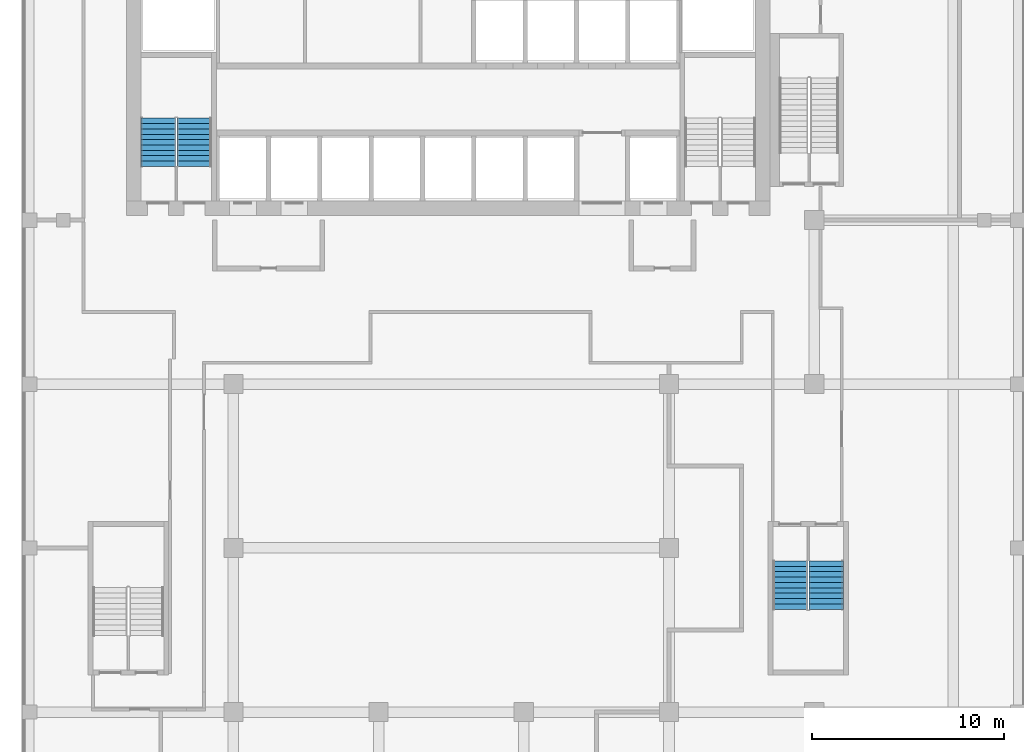
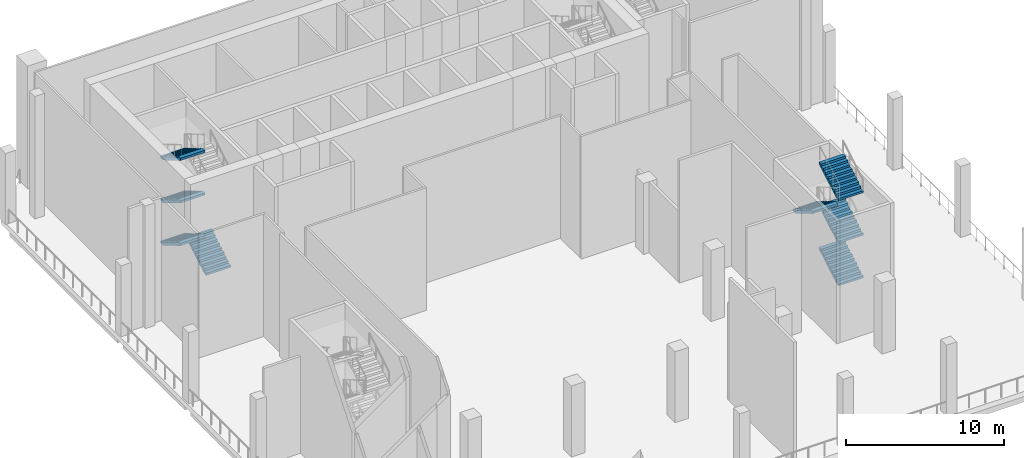
# One storey, part 7 of 12: 8 stair flights, 2 elements without a shape of their own.
"""IFC4 building model written with IfcOpenShell, lengths in metres."""

import ifcopenshell
import ifcopenshell.guid

model = None  # the IFC model being written
_history = None  # IfcOwnerHistory: only IFC2X3 demands one
_inside = {}  # id of a spatial element -> (the spatial element, [elements in it])
_under = {}  # id of a project, library or spatial element -> (it, [spatial elements below it])
_declared = {}  # id of a project -> (the project, [libraries it declares])
_typed = {}  # id of a type object -> (the type object, [elements of that type])
_made_of = {}  # id of a material, layer set ... -> (it, [elements and type objects made of it])


def new_model(schema):
    """Start an empty IFC model of exactly this schema.

    Asked for "IFC4X3", IfcOpenShell would pick the latest addendum, in which some entities
    have other attributes; the version numbers below select the first issue.
    IFC2X3 requires an IfcOwnerHistory on every rooted entity: one is made here for all.
    """
    global model, _history
    if schema == "IFC4X3":
        model = ifcopenshell.file(schema_version=(4, 3, 0, 0))
    else:
        model = ifcopenshell.file(schema=schema)
    _inside.clear()
    _under.clear()
    _declared.clear()
    _typed.clear()
    _made_of.clear()
    _history = None
    if model.schema == "IFC2X3":
        org = make("IfcOrganization", Name="unknown")
        user = make(
            "IfcPersonAndOrganization",
            ThePerson=make("IfcPerson", FamilyName="unknown"),
            TheOrganization=org,
        )
        app = make(
            "IfcApplication",
            ApplicationDeveloper=org,
            Version="unknown",
            ApplicationFullName="unknown",
            ApplicationIdentifier="unknown",
        )
        _history = make(
            "IfcOwnerHistory",
            OwningUser=user,
            OwningApplication=app,
            ChangeAction="ADDED",
            CreationDate=0,
        )
    return model


def make(cls, **values):
    """One entity of the class cls with the attributes given. An attribute that is None is left unset."""
    return model.create_entity(
        cls, **{name: value for name, value in values.items() if value is not None}
    )


def rooted(cls, **values):
    """An entity with a GlobalId (a new one), such as an element, a storey or a relation."""
    return make(cls, GlobalId=ifcopenshell.guid.new(), OwnerHistory=_history, **values)


def si_unit(unit_type, name, prefix=None):
    """IfcSIUnit, for example si_unit("LENGTHUNIT", "METRE", prefix="MILLI")."""
    return make("IfcSIUnit", UnitType=unit_type, Prefix=prefix, Name=name)


def assignment(units):
    """IfcUnitAssignment: the units of a project."""
    return None if units is None else make("IfcUnitAssignment", Units=units)


def point(xyz):
    """IfcCartesianPoint."""
    return None if xyz is None else make("IfcCartesianPoint", Coordinates=xyz)


def direction(xyz):
    """IfcDirection."""
    return None if xyz is None else make("IfcDirection", DirectionRatios=xyz)


def frame(location, z_axis=None, x_axis=None):
    """IfcAxis2Placement3D, a coordinate frame: its origin and axes. An axis left out is left unset."""
    return make(
        "IfcAxis2Placement3D",
        Location=point(location),
        Axis=direction(z_axis),
        RefDirection=direction(x_axis),
    )


def origin():
    """The frame at (0, 0, 0) with its axes left unset."""
    return frame((0.0, 0.0, 0.0))


def place(relative_to, where):
    """IfcLocalPlacement: puts the frame where relative to a parent placement (None: the world)."""
    return make(
        "IfcLocalPlacement", PlacementRelTo=relative_to, RelativePlacement=where
    )


def context(
    kind, dimensions, precision=None, world=None, true_north=None, identifier=None
):
    """IfcGeometricRepresentationContext, for example the 3D "Model" context."""
    return make(
        "IfcGeometricRepresentationContext",
        ContextIdentifier=identifier,
        ContextType=kind,
        CoordinateSpaceDimension=dimensions,
        Precision=precision,
        WorldCoordinateSystem=world,
        TrueNorth=true_north,
    )


def subcontext(parent, identifier, kind, view, scale=None):
    """IfcGeometricRepresentationSubContext, for example "Body" below "Model"."""
    return make(
        "IfcGeometricRepresentationSubContext",
        ContextIdentifier=identifier,
        ContextType=kind,
        ParentContext=parent,
        TargetScale=scale,
        TargetView=view,
    )


def project(units=None, contexts=None):
    """IfcProject with its units and contexts."""
    return rooted(
        "IfcProject",
        Name="project",
        RepresentationContexts=contexts,
        UnitsInContext=assignment(units),
    )


def spatial(cls, under=None, at=None, **own):
    """A site, building, storey or space (cls), placed at a placement, below another one or the project."""
    s = rooted(cls, ObjectPlacement=at, **own)
    if under is not None:
        _under.setdefault(under.id(), (under, []))[1].append(s)
    return s


def point_list(points):
    """IfcCartesianPointList2D or 3D."""
    cls = (
        "IfcCartesianPointList2D" if len(points[0]) == 2 else "IfcCartesianPointList3D"
    )
    return make(cls, CoordList=points)


def triangles(points, corners, closed=None, point_numbers=None):
    """IfcTriangulatedFaceSet: each triangle names its three corners, points numbered from 1."""
    return make(
        "IfcTriangulatedFaceSet",
        Coordinates=point_list(points),
        Closed=closed,
        CoordIndex=corners,
        PnIndex=point_numbers,
    )


def shape(context_of_items, identifier, shape_type, items):
    """IfcShapeRepresentation: the items that make up one representation, for example the "Body"."""
    return make(
        "IfcShapeRepresentation",
        ContextOfItems=context_of_items,
        RepresentationIdentifier=identifier,
        RepresentationType=shape_type,
        Items=items,
    )


def source(mapping_origin, context_of_items, identifier, shape_type, items):
    """IfcRepresentationMap: a shape defined once, which mapped items show again and again."""
    return make(
        "IfcRepresentationMap",
        MappingOrigin=mapping_origin,
        MappedRepresentation=shape(context_of_items, identifier, shape_type, items),
    )


def transform(
    local_origin,
    x_axis=None,
    y_axis=None,
    z_axis=None,
    scale=None,
    scale2=None,
    scale3=None,
    uniform=True,
):
    """IfcCartesianTransformationOperator3D, or its non-uniform kind. x_axis, y_axis, z_axis: its Axis1, 2, 3."""
    if uniform:
        return make(
            "IfcCartesianTransformationOperator3D",
            Axis1=direction(x_axis),
            Axis2=direction(y_axis),
            LocalOrigin=point(local_origin),
            Scale=scale,
            Axis3=direction(z_axis),
        )
    return make(
        "IfcCartesianTransformationOperator3DnonUniform",
        Axis1=direction(x_axis),
        Axis2=direction(y_axis),
        LocalOrigin=point(local_origin),
        Scale=scale,
        Axis3=direction(z_axis),
        Scale2=scale2,
        Scale3=scale3,
    )


def mapped(mapping_source, mapping_target):
    """IfcMappedItem: shows the shape of a source again, moved by a transform."""
    return make(
        "IfcMappedItem", MappingSource=mapping_source, MappingTarget=mapping_target
    )


def material(Name=None, Category=None):
    """IfcMaterial."""
    return make("IfcMaterial", Name=Name, Category=Category)


def made_of(thing, what):
    """Note that an element or type object is made of a material, layer set ...; save() writes the relation."""
    if what is not None:
        _made_of.setdefault(what.id(), (what, []))[1].append(thing)
    return thing


def type_object(cls, material=None, **own):
    """A type object (cls), such as IfcWallType, which elements share."""
    return made_of(rooted(cls, **own), material)


def element(
    cls,
    number,
    at=None,
    inside=None,
    cuts=None,
    type_object=None,
    material=None,
    context=None,
    identifier="Body",
    shape_type=None,
    held_by="IfcProductDefinitionShape",
    body=None,
    shapes=None,
    **own,
):
    """One element of the class cls, such as IfcWall. Its Tag is "e" and its number.

    at: its placement. inside: the storey or other place that contains it. cuts: it is an
    opening in that element (IfcRelVoidsElement). A single representation is given by context,
    identifier, shape_type and body (its items); several are given by shapes. held_by: the class
    of the entity that holds the representations. save() writes the other relations.
    """
    e = rooted(cls, Tag="e%d" % number, ObjectPlacement=at, **own)
    if body is not None:
        shapes = [shape(context, identifier, shape_type, body)]
    if shapes is not None:
        e.Representation = make(held_by, Representations=shapes)
    if inside is not None:
        _inside.setdefault(inside.id(), (inside, []))[1].append(e)
    if cuts is not None:
        rooted(
            "IfcRelVoidsElement", RelatingBuildingElement=cuts, RelatedOpeningElement=e
        )
    if type_object is not None:
        _typed.setdefault(type_object.id(), (type_object, []))[1].append(e)
    return made_of(e, material)


def aggregate(whole, parts):
    """IfcRelAggregates: a whole, such as a stair, and the parts it consists of."""
    return rooted("IfcRelAggregates", RelatingObject=whole, RelatedObjects=parts)


def save(model, path):
    """Write the relations noted so far, then the file.

    IfcRelAggregates (storeys below a building ...), IfcRelContainedInSpatialStructure (elements
    in a storey), IfcRelDefinesByType, IfcRelAssociatesMaterial and IfcRelDeclares: one each for
    every whole, place, type object, material and project.
    """
    for whole, parts in _under.values():
        aggregate(whole, parts)
    for where, things in _inside.values():
        rooted(
            "IfcRelContainedInSpatialStructure",
            RelatedElements=things,
            RelatingStructure=where,
        )
    for kind, things in _typed.values():
        rooted("IfcRelDefinesByType", RelatedObjects=things, RelatingType=kind)
    for what, things in _made_of.values():
        rooted("IfcRelAssociatesMaterial", RelatedObjects=things, RelatingMaterial=what)
    for by, libraries in _declared.values():
        rooted("IfcRelDeclares", RelatingContext=by, RelatedDefinitions=libraries)
    model.write(path)


model = new_model("IFC4")

# Units and contexts
model_context = context("Model", 3, precision=1e-05, world=origin(), true_north=direction((0.0, 1.0)))
body_context = subcontext(model_context, "Body", "Model", "MODEL_VIEW")
ifc_project = project(units=[si_unit("LENGTHUNIT", "METRE"), si_unit("AREAUNIT", "SQUARE_METRE"), si_unit("VOLUMEUNIT", "CUBIC_METRE"), si_unit("PLANEANGLEUNIT", "RADIAN"), si_unit("MASSUNIT", "GRAM", prefix="KILO")], contexts=[model_context])

# Site, building, storey
site_placement = place(None, origin())
site = spatial("IfcSite", under=ifc_project, at=site_placement, CompositionType="ELEMENT")
building_placement = place(site_placement, origin())
building = spatial("IfcBuilding", under=site, at=building_placement, Name="Kilnfold Tower and Market Hall", CompositionType="ELEMENT")
storey_placement = place(building_placement, frame((0.0, 0.0, 223.699951171875)))
storey = spatial("IfcBuildingStorey", under=building, at=storey_placement, Name="L55 Refuge Wind Floor", CompositionType="ELEMENT", Elevation=223.699951171875)

# Stair, stair flights
ifc_material_1 = material(Name="Concrete C40/50", Category="concrete")
stair_type = type_object("IfcStairType", Name="CORE STAIR 1800", PredefinedType="HALF_TURN_STAIR", material=ifc_material_1)
stair_1_placement = place(storey_placement, origin())
stair_1 = element("IfcStair", 1, at=stair_1_placement, inside=storey, type_object=stair_type, Name="L55 Refuge Wind Floor ST1", PredefinedType="HALF_TURN_STAIR")
ifc_material_2 = material(Name="Concrete C40/50", Category="concrete")
stair_flight_type = type_object("IfcStairFlightType", Name="CORE STAIR FLIGHT 1800", PredefinedType="STRAIGHT", material=ifc_material_2)
shared_shape = source(origin(), body_context, "Body", "Tessellation", [
    triangles([(0.0, 0.89990234375, 0.0), (0.0, 0.78759765625, 0.0), (0.0, 0.675048828125, 0.0), (0.0, 0.5625, 0.0), (0.0, 0.449951171875, 0.0), (0.0, 0.33740234375, 0.0), (0.0, 0.22509765625, 0.0), (0.0, 0.112548828125, 0.0), (0.0, 0.0, 0.0), (0.0, -0.112548828125, 0.0), (0.0, -0.22509765625, 0.0), (0.0, -0.33740234375, 0.0), (0.0, -0.449951171875, 0.0), (0.0, -0.5625, 0.0), (0.0, -0.675048828125, 0.0), (0.0, -0.78759765625, 0.0), (0.0, -0.89990234375, 0.0), (0.0, 0.89990234375, 0.1650390625), (0.0, 0.78759765625, 0.1650390625), (0.0, 0.675048828125, 0.1650390625), (0.0, 0.5625, 0.1650390625), (0.0, 0.449951171875, 0.1650390625), (0.0, 0.33740234375, 0.1650390625), (0.0, 0.22509765625, 0.1650390625), (0.0, 0.112548828125, 0.1650390625), (0.0, 0.0, 0.1650390625), (0.0, -0.112548828125, 0.1650390625), (0.0, -0.22509765625, 0.1650390625), (0.0, -0.33740234375, 0.1650390625), (0.0, -0.449951171875, 0.1650390625), (0.0, -0.5625, 0.1650390625), (0.0, -0.675048828125, 0.1650390625), (0.0, -0.78759765625, 0.1650390625), (0.0, -0.89990234375, 0.1650390625), (0.280029296875, 0.89990234375, 0.1650390625), (0.280029296875, 0.78759765625, 0.1650390625), (0.280029296875, 0.675048828125, 0.1650390625), (0.280029296875, 0.5625, 0.1650390625), (0.280029296875, 0.449951171875, 0.1650390625), (0.280029296875, 0.33740234375, 0.1650390625), (0.280029296875, 0.22509765625, 0.1650390625), (0.280029296875, 0.112548828125, 0.1650390625), (0.280029296875, 0.0, 0.1650390625), (0.280029296875, -0.112548828125, 0.1650390625), (0.280029296875, -0.22509765625, 0.1650390625), (0.280029296875, -0.33740234375, 0.1650390625), (0.280029296875, -0.449951171875, 0.1650390625), (0.280029296875, -0.5625, 0.1650390625), (0.280029296875, -0.675048828125, 0.1650390625), (0.280029296875, -0.78759765625, 0.1650390625), (0.280029296875, -0.89990234375, 0.1650390625), (0.280029296875, 0.89990234375, 0.330078125), (0.280029296875, 0.78759765625, 0.330078125), (0.280029296875, 0.675048828125, 0.330078125), (0.280029296875, 0.5625, 0.330078125), (0.280029296875, 0.449951171875, 0.330078125), (0.280029296875, 0.33740234375, 0.330078125), (0.280029296875, 0.22509765625, 0.330078125), (0.280029296875, 0.112548828125, 0.330078125), (0.280029296875, 0.0, 0.330078125), (0.280029296875, -0.112548828125, 0.330078125), (0.280029296875, -0.22509765625, 0.330078125), (0.280029296875, -0.33740234375, 0.330078125), (0.280029296875, -0.449951171875, 0.330078125), (0.280029296875, -0.5625, 0.330078125), (0.280029296875, -0.675048828125, 0.330078125), (0.280029296875, -0.78759765625, 0.330078125), (0.280029296875, -0.89990234375, 0.330078125), (0.56005859375, 0.89990234375, 0.330078125), (0.56005859375, 0.78759765625, 0.330078125), (0.56005859375, 0.675048828125, 0.330078125), (0.56005859375, 0.5625, 0.330078125), (0.56005859375, 0.449951171875, 0.330078125), (0.56005859375, 0.33740234375, 0.330078125), (0.56005859375, 0.22509765625, 0.330078125), (0.56005859375, 0.112548828125, 0.330078125), (0.56005859375, 0.0, 0.330078125), (0.56005859375, -0.112548828125, 0.330078125), (0.56005859375, -0.22509765625, 0.330078125), (0.56005859375, -0.33740234375, 0.330078125), (0.56005859375, -0.449951171875, 0.330078125), (0.56005859375, -0.5625, 0.330078125), (0.56005859375, -0.675048828125, 0.330078125), (0.56005859375, -0.78759765625, 0.330078125), (0.56005859375, -0.89990234375, 0.330078125), (0.56005859375, 0.89990234375, 0.4951171875), (0.56005859375, 0.78759765625, 0.4951171875), (0.56005859375, 0.675048828125, 0.4951171875), (0.56005859375, 0.5625, 0.4951171875), (0.56005859375, 0.449951171875, 0.4951171875), (0.56005859375, 0.33740234375, 0.4951171875), (0.56005859375, 0.22509765625, 0.4951171875), (0.56005859375, 0.112548828125, 0.4951171875), (0.56005859375, 0.0, 0.4951171875), (0.56005859375, -0.112548828125, 0.4951171875), (0.56005859375, -0.22509765625, 0.4951171875), (0.56005859375, -0.33740234375, 0.4951171875), (0.56005859375, -0.449951171875, 0.4951171875), (0.56005859375, -0.5625, 0.4951171875), (0.56005859375, -0.675048828125, 0.4951171875), (0.56005859375, -0.78759765625, 0.4951171875), (0.56005859375, -0.89990234375, 0.4951171875), (0.840087890625, 0.89990234375, 0.4951171875), (0.840087890625, 0.78759765625, 0.4951171875), (0.840087890625, 0.675048828125, 0.4951171875), (0.840087890625, 0.5625, 0.4951171875), (0.840087890625, 0.449951171875, 0.4951171875), (0.840087890625, 0.33740234375, 0.4951171875), (0.840087890625, 0.22509765625, 0.4951171875), (0.840087890625, 0.112548828125, 0.4951171875), (0.840087890625, 0.0, 0.4951171875), (0.840087890625, -0.112548828125, 0.4951171875), (0.840087890625, -0.22509765625, 0.4951171875), (0.840087890625, -0.33740234375, 0.4951171875), (0.840087890625, -0.449951171875, 0.4951171875), (0.840087890625, -0.5625, 0.4951171875), (0.840087890625, -0.675048828125, 0.4951171875), (0.840087890625, -0.78759765625, 0.4951171875), (0.840087890625, -0.89990234375, 0.4951171875), (0.840087890625, 0.89990234375, 0.659912109375), (0.840087890625, 0.78759765625, 0.659912109375), (0.840087890625, 0.675048828125, 0.659912109375), (0.840087890625, 0.5625, 0.659912109375), (0.840087890625, 0.449951171875, 0.659912109375), (0.840087890625, 0.33740234375, 0.659912109375), (0.840087890625, 0.22509765625, 0.659912109375), (0.840087890625, 0.112548828125, 0.659912109375), (0.840087890625, 0.0, 0.659912109375), (0.840087890625, -0.112548828125, 0.659912109375), (0.840087890625, -0.22509765625, 0.659912109375), (0.840087890625, -0.33740234375, 0.659912109375), (0.840087890625, -0.449951171875, 0.659912109375), (0.840087890625, -0.5625, 0.659912109375), (0.840087890625, -0.675048828125, 0.659912109375), (0.840087890625, -0.78759765625, 0.659912109375), (0.840087890625, -0.89990234375, 0.659912109375), (1.1201171875, 0.89990234375, 0.659912109375), (1.1201171875, 0.78759765625, 0.659912109375), (1.1201171875, 0.675048828125, 0.659912109375), (1.1201171875, 0.5625, 0.659912109375), (1.1201171875, 0.449951171875, 0.659912109375), (1.1201171875, 0.33740234375, 0.659912109375), (1.1201171875, 0.22509765625, 0.659912109375), (1.1201171875, 0.112548828125, 0.659912109375), (1.1201171875, 0.0, 0.659912109375), (1.1201171875, -0.112548828125, 0.659912109375), (1.1201171875, -0.22509765625, 0.659912109375), (1.1201171875, -0.33740234375, 0.659912109375), (1.1201171875, -0.449951171875, 0.659912109375), (1.1201171875, -0.5625, 0.659912109375), (1.1201171875, -0.675048828125, 0.659912109375), (1.1201171875, -0.78759765625, 0.659912109375), (1.1201171875, -0.89990234375, 0.659912109375), (1.1201171875, 0.89990234375, 0.824951171875), (1.1201171875, 0.78759765625, 0.824951171875), (1.1201171875, 0.675048828125, 0.824951171875), (1.1201171875, 0.5625, 0.824951171875), (1.1201171875, 0.449951171875, 0.824951171875), (1.1201171875, 0.33740234375, 0.824951171875), (1.1201171875, 0.22509765625, 0.824951171875), (1.1201171875, 0.112548828125, 0.824951171875), (1.1201171875, 0.0, 0.824951171875), (1.1201171875, -0.112548828125, 0.824951171875), (1.1201171875, -0.22509765625, 0.824951171875), (1.1201171875, -0.33740234375, 0.824951171875), (1.1201171875, -0.449951171875, 0.824951171875), (1.1201171875, -0.5625, 0.824951171875), (1.1201171875, -0.675048828125, 0.824951171875), (1.1201171875, -0.78759765625, 0.824951171875), (1.1201171875, -0.89990234375, 0.824951171875), (1.39990234375, 0.89990234375, 0.824951171875), (1.39990234375, 0.78759765625, 0.824951171875), (1.39990234375, 0.675048828125, 0.824951171875), (1.39990234375, 0.5625, 0.824951171875), (1.39990234375, 0.449951171875, 0.824951171875), (1.39990234375, 0.33740234375, 0.824951171875), (1.39990234375, 0.22509765625, 0.824951171875), (1.39990234375, 0.112548828125, 0.824951171875), (1.39990234375, 0.0, 0.824951171875), (1.39990234375, -0.112548828125, 0.824951171875), (1.39990234375, -0.22509765625, 0.824951171875), (1.39990234375, -0.33740234375, 0.824951171875), (1.39990234375, -0.449951171875, 0.824951171875), (1.39990234375, -0.5625, 0.824951171875), (1.39990234375, -0.675048828125, 0.824951171875), (1.39990234375, -0.78759765625, 0.824951171875), (1.39990234375, -0.89990234375, 0.824951171875), (1.39990234375, 0.89990234375, 0.989990234375), (1.39990234375, 0.78759765625, 0.989990234375), (1.39990234375, 0.675048828125, 0.989990234375), (1.39990234375, 0.5625, 0.989990234375), (1.39990234375, 0.449951171875, 0.989990234375), (1.39990234375, 0.33740234375, 0.989990234375), (1.39990234375, 0.22509765625, 0.989990234375), (1.39990234375, 0.112548828125, 0.989990234375), (1.39990234375, 0.0, 0.989990234375), (1.39990234375, -0.112548828125, 0.989990234375), (1.39990234375, -0.22509765625, 0.989990234375), (1.39990234375, -0.33740234375, 0.989990234375), (1.39990234375, -0.449951171875, 0.989990234375), (1.39990234375, -0.5625, 0.989990234375), (1.39990234375, -0.675048828125, 0.989990234375), (1.39990234375, -0.78759765625, 0.989990234375), (1.39990234375, -0.89990234375, 0.989990234375), (1.679931640625, 0.89990234375, 0.989990234375), (1.679931640625, 0.78759765625, 0.989990234375), (1.679931640625, 0.675048828125, 0.989990234375), (1.679931640625, 0.5625, 0.989990234375), (1.679931640625, 0.449951171875, 0.989990234375), (1.679931640625, 0.33740234375, 0.989990234375), (1.679931640625, 0.22509765625, 0.989990234375), (1.679931640625, 0.112548828125, 0.989990234375), (1.679931640625, 0.0, 0.989990234375), (1.679931640625, -0.112548828125, 0.989990234375), (1.679931640625, -0.22509765625, 0.989990234375), (1.679931640625, -0.33740234375, 0.989990234375), (1.679931640625, -0.449951171875, 0.989990234375), (1.679931640625, -0.5625, 0.989990234375), (1.679931640625, -0.675048828125, 0.989990234375), (1.679931640625, -0.78759765625, 0.989990234375), (1.679931640625, -0.89990234375, 0.989990234375), (1.679931640625, 0.89990234375, 1.155029296875), (1.679931640625, 0.78759765625, 1.155029296875), (1.679931640625, 0.675048828125, 1.155029296875), (1.679931640625, 0.5625, 1.155029296875), (1.679931640625, 0.449951171875, 1.155029296875), (1.679931640625, 0.33740234375, 1.155029296875), (1.679931640625, 0.22509765625, 1.155029296875), (1.679931640625, 0.112548828125, 1.155029296875), (1.679931640625, 0.0, 1.155029296875), (1.679931640625, -0.112548828125, 1.155029296875), (1.679931640625, -0.22509765625, 1.155029296875), (1.679931640625, -0.33740234375, 1.155029296875), (1.679931640625, -0.449951171875, 1.155029296875), (1.679931640625, -0.5625, 1.155029296875), (1.679931640625, -0.675048828125, 1.155029296875), (1.679931640625, -0.78759765625, 1.155029296875), (1.679931640625, -0.89990234375, 1.155029296875), (1.9599609375, 0.89990234375, 1.155029296875), (1.9599609375, 0.78759765625, 1.155029296875), (1.9599609375, 0.675048828125, 1.155029296875), (1.9599609375, 0.5625, 1.155029296875), (1.9599609375, 0.449951171875, 1.155029296875), (1.9599609375, 0.33740234375, 1.155029296875), (1.9599609375, 0.22509765625, 1.155029296875), (1.9599609375, 0.112548828125, 1.155029296875), (1.9599609375, 0.0, 1.155029296875), (1.9599609375, -0.112548828125, 1.155029296875), (1.9599609375, -0.22509765625, 1.155029296875), (1.9599609375, -0.33740234375, 1.155029296875), (1.9599609375, -0.449951171875, 1.155029296875), (1.9599609375, -0.5625, 1.155029296875), (1.9599609375, -0.675048828125, 1.155029296875), (1.9599609375, -0.78759765625, 1.155029296875), (1.9599609375, -0.89990234375, 1.155029296875), (1.9599609375, 0.89990234375, 1.320068359375), (1.9599609375, 0.78759765625, 1.320068359375), (1.9599609375, 0.675048828125, 1.320068359375), (1.9599609375, 0.5625, 1.320068359375), (1.9599609375, 0.449951171875, 1.320068359375), (1.9599609375, 0.33740234375, 1.320068359375), (1.9599609375, 0.22509765625, 1.320068359375), (1.9599609375, 0.112548828125, 1.320068359375), (1.9599609375, 0.0, 1.320068359375), (1.9599609375, -0.112548828125, 1.320068359375), (1.9599609375, -0.22509765625, 1.320068359375), (1.9599609375, -0.33740234375, 1.320068359375), (1.9599609375, -0.449951171875, 1.320068359375), (1.9599609375, -0.5625, 1.320068359375), (1.9599609375, -0.675048828125, 1.320068359375), (1.9599609375, -0.78759765625, 1.320068359375), (1.9599609375, -0.89990234375, 1.320068359375), (2.239990234375, 0.89990234375, 1.320068359375), (2.239990234375, 0.78759765625, 1.320068359375), (2.239990234375, 0.675048828125, 1.320068359375), (2.239990234375, 0.5625, 1.320068359375), (2.239990234375, 0.449951171875, 1.320068359375), (2.239990234375, 0.33740234375, 1.320068359375), (2.239990234375, 0.22509765625, 1.320068359375), (2.239990234375, 0.112548828125, 1.320068359375), (2.239990234375, 0.0, 1.320068359375), (2.239990234375, -0.112548828125, 1.320068359375), (2.239990234375, -0.22509765625, 1.320068359375), (2.239990234375, -0.33740234375, 1.320068359375), (2.239990234375, -0.449951171875, 1.320068359375), (2.239990234375, -0.5625, 1.320068359375), (2.239990234375, -0.675048828125, 1.320068359375), (2.239990234375, -0.78759765625, 1.320068359375), (2.239990234375, -0.89990234375, 1.320068359375), (2.239990234375, 0.89990234375, 1.485107421875), (2.239990234375, 0.78759765625, 1.485107421875), (2.239990234375, 0.675048828125, 1.485107421875), (2.239990234375, 0.5625, 1.485107421875), (2.239990234375, 0.449951171875, 1.485107421875), (2.239990234375, 0.33740234375, 1.485107421875), (2.239990234375, 0.22509765625, 1.485107421875), (2.239990234375, 0.112548828125, 1.485107421875), (2.239990234375, 0.0, 1.485107421875), (2.239990234375, -0.112548828125, 1.485107421875), (2.239990234375, -0.22509765625, 1.485107421875), (2.239990234375, -0.33740234375, 1.485107421875), (2.239990234375, -0.449951171875, 1.485107421875), (2.239990234375, -0.5625, 1.485107421875), (2.239990234375, -0.675048828125, 1.485107421875), (2.239990234375, -0.78759765625, 1.485107421875), (2.239990234375, -0.89990234375, 1.485107421875), (2.52001953125, 0.89990234375, 1.485107421875), (2.52001953125, 0.78759765625, 1.485107421875), (2.52001953125, 0.675048828125, 1.485107421875), (2.52001953125, 0.5625, 1.485107421875), (2.52001953125, 0.449951171875, 1.485107421875), (2.52001953125, 0.33740234375, 1.485107421875), (2.52001953125, 0.22509765625, 1.485107421875), (2.52001953125, 0.112548828125, 1.485107421875), (2.52001953125, 0.0, 1.485107421875), (2.52001953125, -0.112548828125, 1.485107421875), (2.52001953125, -0.22509765625, 1.485107421875), (2.52001953125, -0.33740234375, 1.485107421875), (2.52001953125, -0.449951171875, 1.485107421875), (2.52001953125, -0.5625, 1.485107421875), (2.52001953125, -0.675048828125, 1.485107421875), (2.52001953125, -0.78759765625, 1.485107421875), (2.52001953125, -0.89990234375, 1.485107421875), (2.52001953125, 0.89990234375, 1.31103515625), (2.52001953125, 0.78759765625, 1.31103515625), (2.52001953125, 0.675048828125, 1.31103515625), (2.52001953125, 0.5625, 1.31103515625), (2.52001953125, 0.449951171875, 1.31103515625), (2.52001953125, 0.33740234375, 1.31103515625), (2.52001953125, 0.22509765625, 1.31103515625), (2.52001953125, 0.112548828125, 1.31103515625), (2.52001953125, 0.0, 1.31103515625), (2.52001953125, -0.112548828125, 1.31103515625), (2.52001953125, -0.22509765625, 1.31103515625), (2.52001953125, -0.33740234375, 1.31103515625), (2.52001953125, -0.449951171875, 1.31103515625), (2.52001953125, -0.5625, 1.31103515625), (2.52001953125, -0.675048828125, 1.31103515625), (2.52001953125, -0.78759765625, 1.31103515625), (2.52001953125, -0.89990234375, 1.31103515625), (0.295166015625, 0.89990234375, 0.0), (0.295166015625, 0.78759765625, 0.0), (0.295166015625, 0.675048828125, 0.0), (0.295166015625, 0.5625, 0.0), (0.295166015625, 0.449951171875, 0.0), (0.295166015625, 0.33740234375, 0.0), (0.295166015625, 0.22509765625, 0.0), (0.295166015625, 0.112548828125, 0.0), (0.295166015625, 0.0, 0.0), (0.295166015625, -0.112548828125, 0.0), (0.295166015625, -0.22509765625, 0.0), (0.295166015625, -0.33740234375, 0.0), (0.295166015625, -0.449951171875, 0.0), (0.295166015625, -0.5625, 0.0), (0.295166015625, -0.675048828125, 0.0), (0.295166015625, -0.78759765625, 0.0), (0.295166015625, -0.89990234375, 0.0)], [[1, 324, 341], [17, 357, 340], [324, 290, 307], [340, 323, 306], [324, 273, 290], [340, 306, 289], [324, 256, 273], [340, 289, 272], [324, 239, 256], [340, 272, 255], [239, 205, 222], [255, 238, 221], [324, 205, 239], [340, 255, 221], [205, 171, 188], [221, 204, 187], [324, 171, 205], [340, 221, 187], [171, 137, 154], [187, 170, 153], [324, 137, 171], [340, 187, 153], [1, 137, 324], [17, 340, 153], [137, 103, 120], [153, 136, 119], [103, 69, 86], [119, 102, 85], [137, 69, 103], [153, 119, 85], [69, 35, 52], [85, 68, 51], [137, 35, 69], [153, 85, 51], [1, 35, 137], [17, 153, 51], [35, 1, 18], [51, 34, 17], [1, 19, 18], [1, 2, 19], [2, 20, 19], [2, 3, 20], [3, 21, 20], [3, 4, 21], [4, 22, 21], [4, 5, 22], [5, 23, 22], [5, 6, 23], [6, 24, 23], [6, 7, 24], [7, 25, 24], [7, 8, 25], [8, 26, 25], [8, 9, 26], [9, 27, 26], [9, 10, 27], [10, 28, 27], [10, 11, 28], [11, 29, 28], [11, 12, 29], [12, 30, 29], [12, 13, 30], [13, 31, 30], [13, 14, 31], [14, 32, 31], [14, 15, 32], [15, 33, 32], [15, 16, 33], [16, 34, 33], [16, 17, 34], [18, 36, 35], [18, 19, 36], [19, 37, 36], [19, 20, 37], [20, 38, 37], [20, 21, 38], [21, 39, 38], [21, 22, 39], [22, 40, 39], [22, 23, 40], [23, 41, 40], [23, 24, 41], [24, 42, 41], [24, 25, 42], [25, 43, 42], [25, 26, 43], [26, 44, 43], [26, 27, 44], [27, 45, 44], [27, 28, 45], [28, 46, 45], [28, 29, 46], [29, 47, 46], [29, 30, 47], [30, 48, 47], [30, 31, 48], [31, 49, 48], [31, 32, 49], [32, 50, 49], [32, 33, 50], [33, 51, 50], [33, 34, 51], [35, 53, 52], [35, 36, 53], [36, 54, 53], [36, 37, 54], [37, 55, 54], [37, 38, 55], [38, 56, 55], [38, 39, 56], [39, 57, 56], [39, 40, 57], [40, 58, 57], [40, 41, 58], [41, 59, 58], [41, 42, 59], [42, 60, 59], [42, 43, 60], [43, 61, 60], [43, 44, 61], [44, 62, 61], [44, 45, 62], [45, 63, 62], [45, 46, 63], [46, 64, 63], [46, 47, 64], [47, 65, 64], [47, 48, 65], [48, 66, 65], [48, 49, 66], [49, 67, 66], [49, 50, 67], [50, 68, 67], [50, 51, 68], [52, 70, 69], [52, 53, 70], [53, 71, 70], [53, 54, 71], [54, 72, 71], [54, 55, 72], [55, 73, 72], [55, 56, 73], [56, 74, 73], [56, 57, 74], [57, 75, 74], [57, 58, 75], [58, 76, 75], [58, 59, 76], [59, 77, 76], [59, 60, 77], [60, 78, 77], [60, 61, 78], [61, 79, 78], [61, 62, 79], [62, 80, 79], [62, 63, 80], [63, 81, 80], [63, 64, 81], [64, 82, 81], [64, 65, 82], [65, 83, 82], [65, 66, 83], [66, 84, 83], [66, 67, 84], [67, 85, 84], [67, 68, 85], [69, 87, 86], [69, 70, 87], [70, 88, 87], [70, 71, 88], [71, 89, 88], [71, 72, 89], [72, 90, 89], [72, 73, 90], [73, 91, 90], [73, 74, 91], [74, 92, 91], [74, 75, 92], [75, 93, 92], [75, 76, 93], [76, 94, 93], [76, 77, 94], [77, 95, 94], [77, 78, 95], [78, 96, 95], [78, 79, 96], [79, 97, 96], [79, 80, 97], [80, 98, 97], [80, 81, 98], [81, 99, 98], [81, 82, 99], [82, 100, 99], [82, 83, 100], [83, 101, 100], [83, 84, 101], [84, 102, 101], [84, 85, 102], [86, 104, 103], [86, 87, 104], [87, 105, 104], [87, 88, 105], [88, 106, 105], [88, 89, 106], [89, 107, 106], [89, 90, 107], [90, 108, 107], [90, 91, 108], [91, 109, 108], [91, 92, 109], [92, 110, 109], [92, 93, 110], [93, 111, 110], [93, 94, 111], [94, 112, 111], [94, 95, 112], [95, 113, 112], [95, 96, 113], [96, 114, 113], [96, 97, 114], [97, 115, 114], [97, 98, 115], [98, 116, 115], [98, 99, 116], [99, 117, 116], [99, 100, 117], [100, 118, 117], [100, 101, 118], [101, 119, 118], [101, 102, 119], [103, 121, 120], [103, 104, 121], [104, 122, 121], [104, 105, 122], [105, 123, 122], [105, 106, 123], [106, 124, 123], [106, 107, 124], [107, 125, 124], [107, 108, 125], [108, 126, 125], [108, 109, 126], [109, 127, 126], [109, 110, 127], [110, 128, 127], [110, 111, 128], [111, 129, 128], [111, 112, 129], [112, 130, 129], [112, 113, 130], [113, 131, 130], [113, 114, 131], [114, 132, 131], [114, 115, 132], [115, 133, 132], [115, 116, 133], [116, 134, 133], [116, 117, 134], [117, 135, 134], [117, 118, 135], [118, 136, 135], [118, 119, 136], [120, 138, 137], [120, 121, 138], [121, 139, 138], [121, 122, 139], [122, 140, 139], [122, 123, 140], [123, 141, 140], [123, 124, 141], [124, 142, 141], [124, 125, 142], [125, 143, 142], [125, 126, 143], [126, 144, 143], [126, 127, 144], [127, 145, 144], [127, 128, 145], [128, 146, 145], [128, 129, 146], [129, 147, 146], [129, 130, 147], [130, 148, 147], [130, 131, 148], [131, 149, 148], [131, 132, 149], [132, 150, 149], [132, 133, 150], [133, 151, 150], [133, 134, 151], [134, 152, 151], [134, 135, 152], [135, 153, 152], [135, 136, 153], [137, 155, 154], [137, 138, 155], [138, 156, 155], [138, 139, 156], [139, 157, 156], [139, 140, 157], [140, 158, 157], [140, 141, 158], [141, 159, 158], [141, 142, 159], [142, 160, 159], [142, 143, 160], [143, 161, 160], [143, 144, 161], [144, 162, 161], [144, 145, 162], [145, 163, 162], [145, 146, 163], [146, 164, 163], [146, 147, 164], [147, 165, 164], [147, 148, 165], [148, 166, 165], [148, 149, 166], [149, 167, 166], [149, 150, 167], [150, 168, 167], [150, 151, 168], [151, 169, 168], [151, 152, 169], [152, 170, 169], [152, 153, 170], [154, 172, 171], [154, 155, 172], [155, 173, 172], [155, 156, 173], [156, 174, 173], [156, 157, 174], [157, 175, 174], [157, 158, 175], [158, 176, 175], [158, 159, 176], [159, 177, 176], [159, 160, 177], [160, 178, 177], [160, 161, 178], [161, 179, 178], [161, 162, 179], [162, 180, 179], [162, 163, 180], [163, 181, 180], [163, 164, 181], [164, 182, 181], [164, 165, 182], [165, 183, 182], [165, 166, 183], [166, 184, 183], [166, 167, 184], [167, 185, 184], [167, 168, 185], [168, 186, 185], [168, 169, 186], [169, 187, 186], [169, 170, 187], [171, 189, 188], [171, 172, 189], [172, 190, 189], [172, 173, 190], [173, 191, 190], [173, 174, 191], [174, 192, 191], [174, 175, 192], [175, 193, 192], [175, 176, 193], [176, 194, 193], [176, 177, 194], [177, 195, 194], [177, 178, 195], [178, 196, 195], [178, 179, 196], [179, 197, 196], [179, 180, 197], [180, 198, 197], [180, 181, 198], [181, 199, 198], [181, 182, 199], [182, 200, 199], [182, 183, 200], [183, 201, 200], [183, 184, 201], [184, 202, 201], [184, 185, 202], [185, 203, 202], [185, 186, 203], [186, 204, 203], [186, 187, 204], [188, 206, 205], [188, 189, 206], [189, 207, 206], [189, 190, 207], [190, 208, 207], [190, 191, 208], [191, 209, 208], [191, 192, 209], [192, 210, 209], [192, 193, 210], [193, 211, 210], [193, 194, 211], [194, 212, 211], [194, 195, 212], [195, 213, 212], [195, 196, 213], [196, 214, 213], [196, 197, 214], [197, 215, 214], [197, 198, 215], [198, 216, 215], [198, 199, 216], [199, 217, 216], [199, 200, 217], [200, 218, 217], [200, 201, 218], [201, 219, 218], [201, 202, 219], [202, 220, 219], [202, 203, 220], [203, 221, 220], [203, 204, 221], [205, 223, 222], [205, 206, 223], [206, 224, 223], [206, 207, 224], [207, 225, 224], [207, 208, 225], [208, 226, 225], [208, 209, 226], [209, 227, 226], [209, 210, 227], [210, 228, 227], [210, 211, 228], [211, 229, 228], [211, 212, 229], [212, 230, 229], [212, 213, 230], [213, 231, 230], [213, 214, 231], [214, 232, 231], [214, 215, 232], [215, 233, 232], [215, 216, 233], [216, 234, 233], [216, 217, 234], [217, 235, 234], [217, 218, 235], [218, 236, 235], [218, 219, 236], [219, 237, 236], [219, 220, 237], [220, 238, 237], [220, 221, 238], [222, 240, 239], [222, 223, 240], [223, 241, 240], [223, 224, 241], [224, 242, 241], [224, 225, 242], [225, 243, 242], [225, 226, 243], [226, 244, 243], [226, 227, 244], [227, 245, 244], [227, 228, 245], [228, 246, 245], [228, 229, 246], [229, 247, 246], [229, 230, 247], [230, 248, 247], [230, 231, 248], [231, 249, 248], [231, 232, 249], [232, 250, 249], [232, 233, 250], [233, 251, 250], [233, 234, 251], [234, 252, 251], [234, 235, 252], [235, 253, 252], [235, 236, 253], [236, 254, 253], [236, 237, 254], [237, 255, 254], [237, 238, 255], [239, 257, 256], [239, 240, 257], [240, 258, 257], [240, 241, 258], [241, 259, 258], [241, 242, 259], [242, 260, 259], [242, 243, 260], [243, 261, 260], [243, 244, 261], [244, 262, 261], [244, 245, 262], [245, 263, 262], [245, 246, 263], [246, 264, 263], [246, 247, 264], [247, 265, 264], [247, 248, 265], [248, 266, 265], [248, 249, 266], [249, 267, 266], [249, 250, 267], [250, 268, 267], [250, 251, 268], [251, 269, 268], [251, 252, 269], [252, 270, 269], [252, 253, 270], [253, 271, 270], [253, 254, 271], [254, 272, 271], [254, 255, 272], [256, 274, 273], [256, 257, 274], [257, 275, 274], [257, 258, 275], [258, 276, 275], [258, 259, 276], [259, 277, 276], [259, 260, 277], [260, 278, 277], [260, 261, 278], [261, 279, 278], [261, 262, 279], [262, 280, 279], [262, 263, 280], [263, 281, 280], [263, 264, 281], [264, 282, 281], [264, 265, 282], [265, 283, 282], [265, 266, 283], [266, 284, 283], [266, 267, 284], [267, 285, 284], [267, 268, 285], [268, 286, 285], [268, 269, 286], [269, 287, 286], [269, 270, 287], [270, 288, 287], [270, 271, 288], [271, 289, 288], [271, 272, 289], [273, 291, 290], [273, 274, 291], [274, 292, 291], [274, 275, 292], [275, 293, 292], [275, 276, 293], [276, 294, 293], [276, 277, 294], [277, 295, 294], [277, 278, 295], [278, 296, 295], [278, 279, 296], [279, 297, 296], [279, 280, 297], [280, 298, 297], [280, 281, 298], [281, 299, 298], [281, 282, 299], [282, 300, 299], [282, 283, 300], [283, 301, 300], [283, 284, 301], [284, 302, 301], [284, 285, 302], [285, 303, 302], [285, 286, 303], [286, 304, 303], [286, 287, 304], [287, 305, 304], [287, 288, 305], [288, 306, 305], [288, 289, 306], [290, 308, 307], [290, 291, 308], [291, 309, 308], [291, 292, 309], [292, 310, 309], [292, 293, 310], [293, 311, 310], [293, 294, 311], [294, 312, 311], [294, 295, 312], [295, 313, 312], [295, 296, 313], [296, 314, 313], [296, 297, 314], [297, 315, 314], [297, 298, 315], [298, 316, 315], [298, 299, 316], [299, 317, 316], [299, 300, 317], [300, 318, 317], [300, 301, 318], [301, 319, 318], [301, 302, 319], [302, 320, 319], [302, 303, 320], [303, 321, 320], [303, 304, 321], [304, 322, 321], [304, 305, 322], [305, 323, 322], [305, 306, 323], [307, 325, 324], [307, 308, 325], [308, 326, 325], [308, 309, 326], [309, 327, 326], [309, 310, 327], [310, 328, 327], [310, 311, 328], [311, 329, 328], [311, 312, 329], [312, 330, 329], [312, 313, 330], [313, 331, 330], [313, 314, 331], [314, 332, 331], [314, 315, 332], [315, 333, 332], [315, 316, 333], [316, 334, 333], [316, 317, 334], [317, 335, 334], [317, 318, 335], [318, 336, 335], [318, 319, 336], [319, 337, 336], [319, 320, 337], [320, 338, 337], [320, 321, 338], [321, 339, 338], [321, 322, 339], [322, 340, 339], [322, 323, 340], [324, 342, 341], [324, 325, 342], [325, 343, 342], [325, 326, 343], [326, 344, 343], [326, 327, 344], [327, 345, 344], [327, 328, 345], [328, 346, 345], [328, 329, 346], [329, 347, 346], [329, 330, 347], [330, 348, 347], [330, 331, 348], [331, 349, 348], [331, 332, 349], [332, 350, 349], [332, 333, 350], [333, 351, 350], [333, 334, 351], [334, 352, 351], [334, 335, 352], [335, 353, 352], [335, 336, 353], [336, 354, 353], [336, 337, 354], [337, 355, 354], [337, 338, 355], [338, 356, 355], [338, 339, 356], [339, 357, 356], [339, 340, 357], [341, 2, 1], [341, 342, 2], [342, 3, 2], [342, 343, 3], [343, 4, 3], [343, 344, 4], [344, 5, 4], [344, 345, 5], [345, 6, 5], [345, 346, 6], [346, 7, 6], [346, 347, 7], [347, 8, 7], [347, 348, 8], [348, 9, 8], [348, 349, 9], [349, 10, 9], [349, 350, 10], [350, 11, 10], [350, 351, 11], [351, 12, 11], [351, 352, 12], [352, 13, 12], [352, 353, 13], [353, 14, 13], [353, 354, 14], [354, 15, 14], [354, 355, 15], [355, 16, 15], [355, 356, 16], [356, 17, 16], [356, 357, 17]], closed=True),
])
stair_flight_1_placement = place(storey_placement, frame((-12.199951171875, 10.800048828125, 0.0), z_axis=(0.0, 0.0, 1.0), x_axis=(0.0, 1.0, 0.0)))
stair_flight_1 = element("IfcStairFlight", 2, at=stair_flight_1_placement, type_object=stair_flight_type, Name="ST1 flight 1", NumberOfRisers=10, NumberOfTreads=9, PredefinedType="STRAIGHT", RiserHeight=0.165, TreadLength=0.28, context=body_context, shape_type="MappedRepresentation", body=[
    mapped(shared_shape, transform((0.0, 0.0, 0.0))),
])
stair_flight_2_placement = place(storey_placement, frame((-14.10009765625, 13.320068359375, 1.650146484375), z_axis=(0.0, 0.0, 1.0), x_axis=(0.0, -1.0, 0.0)))
stair_flight_2 = element("IfcStairFlight", 3, at=stair_flight_2_placement, type_object=stair_flight_type, Name="ST1 flight 2", NumberOfRisers=10, NumberOfTreads=9, PredefinedType="STRAIGHT", RiserHeight=0.165, TreadLength=0.28, context=body_context, shape_type="MappedRepresentation", body=[
    mapped(shared_shape, transform((0.0, 0.0, 0.0))),
])
stair_flight_3_placement = place(storey_placement, frame((-14.10009765625, 13.320068359375, 4.949951171875), z_axis=(0.0, 0.0, 1.0), x_axis=(0.0, -1.0, 0.0)))
stair_flight_3 = element("IfcStairFlight", 4, at=stair_flight_3_placement, type_object=stair_flight_type, Name="ST1 flight 4", NumberOfRisers=10, NumberOfTreads=9, PredefinedType="STRAIGHT", RiserHeight=0.165, TreadLength=0.28, context=body_context, shape_type="MappedRepresentation", body=[
    mapped(shared_shape, transform((0.0, 0.0, 0.0))),
])
stair_flight_4_placement = place(storey_placement, frame((-14.10009765625, 13.320068359375, 8.25), z_axis=(0.0, 0.0, 1.0), x_axis=(0.0, -1.0, 0.0)))
stair_flight_4 = element("IfcStairFlight", 5, at=stair_flight_4_placement, type_object=stair_flight_type, Name="ST1 flight 6", NumberOfRisers=10, NumberOfTreads=9, PredefinedType="STRAIGHT", RiserHeight=0.165, TreadLength=0.28, context=body_context, shape_type="MappedRepresentation", body=[
    mapped(shared_shape, transform((0.0, 0.0, 0.0))),
])
aggregate(stair_1, [stair_flight_1, stair_flight_2, stair_flight_3, stair_flight_4])

stair_2_placement = place(storey_placement, origin())
stair_2 = element("IfcStair", 6, at=stair_2_placement, inside=storey, type_object=stair_type, Name="L55 Refuge Wind Floor ST4", PredefinedType="HALF_TURN_STAIR")
stair_flight_5_placement = place(storey_placement, frame((20.800048828125, -12.320068359375, 1.650146484375), z_axis=(0.0, 0.0, 1.0), x_axis=(0.0, 1.0, 0.0)))
stair_flight_5 = element("IfcStairFlight", 7, at=stair_flight_5_placement, type_object=stair_flight_type, Name="ST4 flight 2", NumberOfRisers=10, NumberOfTreads=9, PredefinedType="STRAIGHT", RiserHeight=0.165, TreadLength=0.28, context=body_context, shape_type="MappedRepresentation", body=[
    mapped(shared_shape, transform((0.0, 0.0, 0.0))),
])
stair_flight_6_placement = place(storey_placement, frame((20.800048828125, -12.320068359375, 4.949951171875), z_axis=(0.0, 0.0, 1.0), x_axis=(0.0, 1.0, 0.0)))
stair_flight_6 = element("IfcStairFlight", 8, at=stair_flight_6_placement, type_object=stair_flight_type, Name="ST4 flight 4", NumberOfRisers=10, NumberOfTreads=9, PredefinedType="STRAIGHT", RiserHeight=0.165, TreadLength=0.28, context=body_context, shape_type="MappedRepresentation", body=[
    mapped(shared_shape, transform((0.0, 0.0, 0.0))),
])
stair_flight_7_placement = place(storey_placement, frame((18.89990234375, -9.800048828125, 6.60009765625), z_axis=(0.0, 0.0, 1.0), x_axis=(0.0, -1.0, 0.0)))
stair_flight_7 = element("IfcStairFlight", 9, at=stair_flight_7_placement, type_object=stair_flight_type, Name="ST4 flight 5", NumberOfRisers=10, NumberOfTreads=9, PredefinedType="STRAIGHT", RiserHeight=0.165, TreadLength=0.28, context=body_context, shape_type="MappedRepresentation", body=[
    mapped(shared_shape, transform((0.0, 0.0, 0.0))),
])
stair_flight_8_placement = place(storey_placement, frame((20.800048828125, -12.320068359375, 8.25), z_axis=(0.0, 0.0, 1.0), x_axis=(0.0, 1.0, 0.0)))
stair_flight_8 = element("IfcStairFlight", 10, at=stair_flight_8_placement, type_object=stair_flight_type, Name="ST4 flight 6", NumberOfRisers=10, NumberOfTreads=9, PredefinedType="STRAIGHT", RiserHeight=0.165, TreadLength=0.28, context=body_context, shape_type="MappedRepresentation", body=[
    mapped(shared_shape, transform((0.0, 0.0, 0.0))),
])
aggregate(stair_2, [stair_flight_5, stair_flight_6, stair_flight_7, stair_flight_8])

save(model, "model.ifc")
